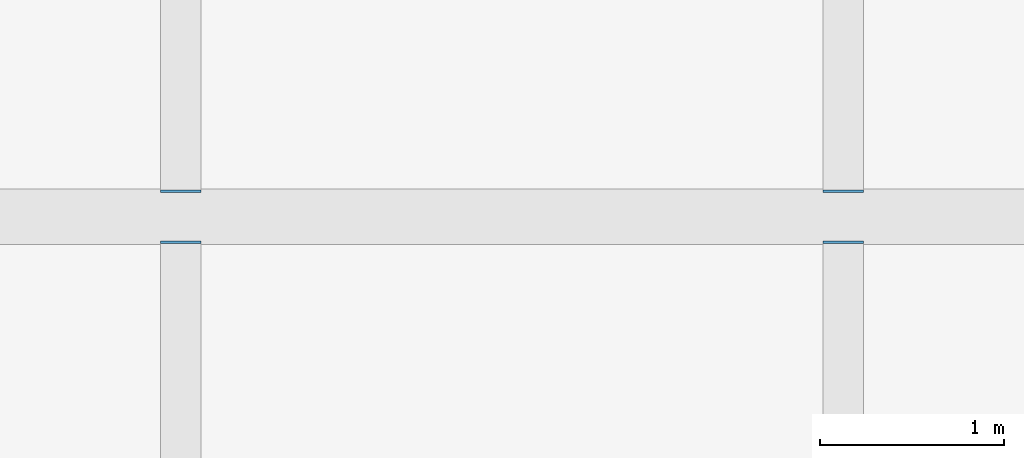
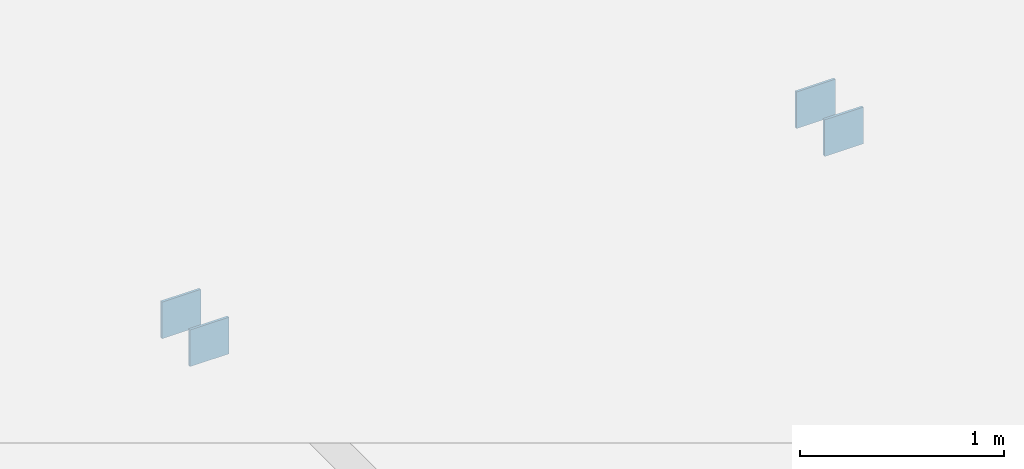
# One storey, part 81 of 100: 4 plates.
"""IFC4 building model written with IfcOpenShell, lengths in metres."""

from ifc_helpers import new_model, si_unit, direction, frame, origin, origin_2d, place, context, subcontext, project, spatial, rectangle, extrude, material, layer, layer_set, type_object, element, save


model = new_model("IFC4")

# Units and contexts
model_context = context("Model", 3, precision=1e-05, world=origin(), true_north=direction((0.0, 1.0)))
body_context = subcontext(model_context, "Body", "Model", "MODEL_VIEW")
ifc_project = project(units=[si_unit("LENGTHUNIT", "METRE"), si_unit("AREAUNIT", "SQUARE_METRE"), si_unit("VOLUMEUNIT", "CUBIC_METRE"), si_unit("PLANEANGLEUNIT", "RADIAN"), si_unit("MASSUNIT", "GRAM", prefix="KILO")], contexts=[model_context])

# Site, building, storey
site_placement = place(None, origin())
site = spatial("IfcSite", under=ifc_project, at=site_placement, CompositionType="ELEMENT")
building_placement = place(site_placement, origin())
building = spatial("IfcBuilding", under=site, at=building_placement, Name="Tasgan Crest Museum", CompositionType="ELEMENT")
storey_placement = place(building_placement, frame((0.0, 0.0, 9.60009765625)))
storey = spatial("IfcBuildingStorey", under=building, at=storey_placement, Name="L02", CompositionType="ELEMENT", Elevation=9.60009765625)

# Plates
ifc_material = material(Name="Steel S355K2", Category="steel")
ifc_layer = layer(ifc_material, 0.219970703125, Name="PL-CAP-14x220x220")
ifc_layer_set = layer_set([ifc_layer], Name="Steel S355K2")
plate_type = type_object("IfcPlateType", Name="PL-CAP-14x220x220", PredefinedType="USERDEFINED", material=ifc_layer_set)
for number, where, z_axis, x_axis, name in (
    (1, (57.60009765625, 102.137939453125, -0.4599609375), (0.0, 0.0, 1.0), (0.0, 1.0, 0.0), "End plate Secondary joist L02 X=57.6 Y=102.0-112.0 end A"),
    (2, (61.199951171875, 102.137939453125, -0.4599609375), (0.0, 0.0, 1.0), (0.0, 1.0, 0.0), "End plate Secondary joist L02 X=61.2 Y=102.0-112.0 end A"),
    (3, (57.60009765625, 101.862060546875, -0.4599609375), (0.0, 0.0, 1.0), (0.0, 1.0, 0.0), "End plate Secondary joist L02 X=57.6 Y=92.0-102.0 end B"),
    (4, (61.199951171875, 101.862060546875, -0.4599609375), (0.0, 0.0, 1.0), (0.0, 1.0, 0.0), "End plate Secondary joist L02 X=61.2 Y=92.0-102.0 end B"),
):
    element("IfcPlate", number, at=place(storey_placement, frame(where, z_axis=z_axis, x_axis=x_axis)), inside=storey, type_object=plate_type, Name=name, ObjectType="END PLATE", PredefinedType="USERDEFINED", context=body_context, shape_type="SweptSolid", body=[
        extrude(rectangle(XDim=0.013916015625, YDim=0.219970703125, at=origin_2d()), origin(), (0.0, 0.0, 1.0), 0.219970703125),
    ])

save(model, "model.ifc")
